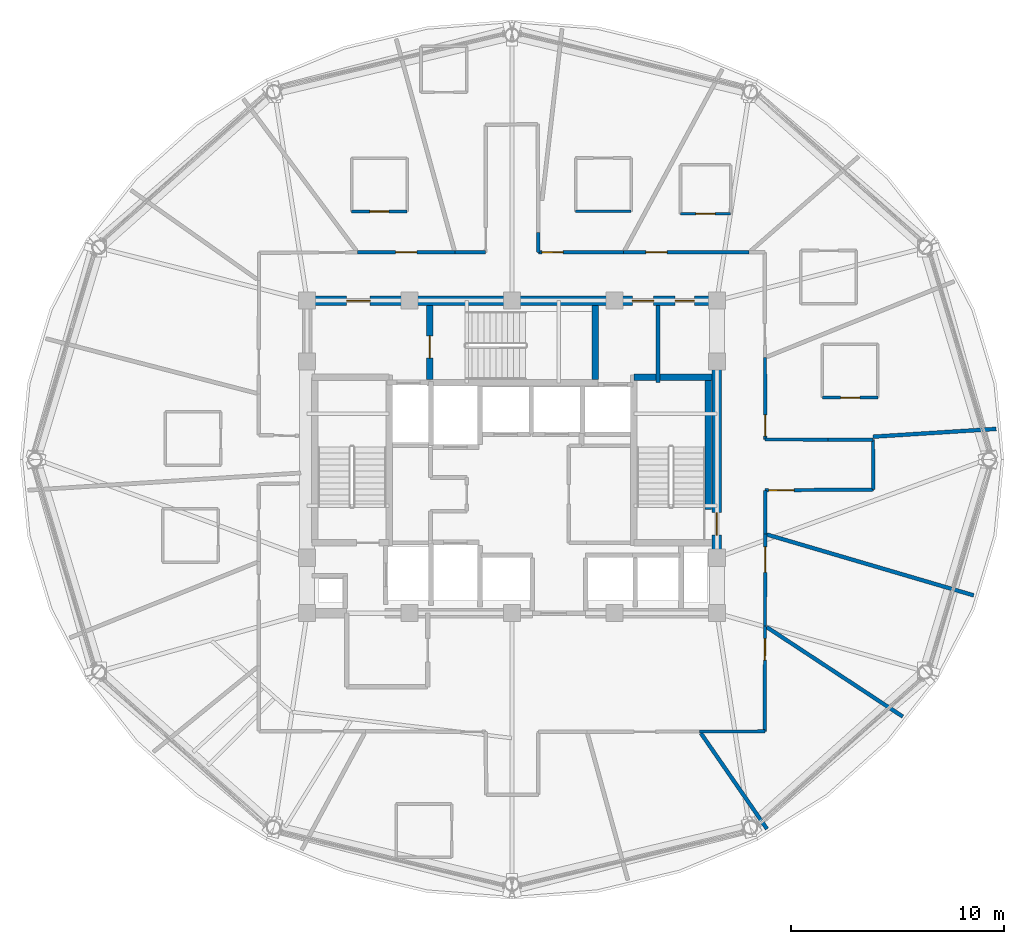
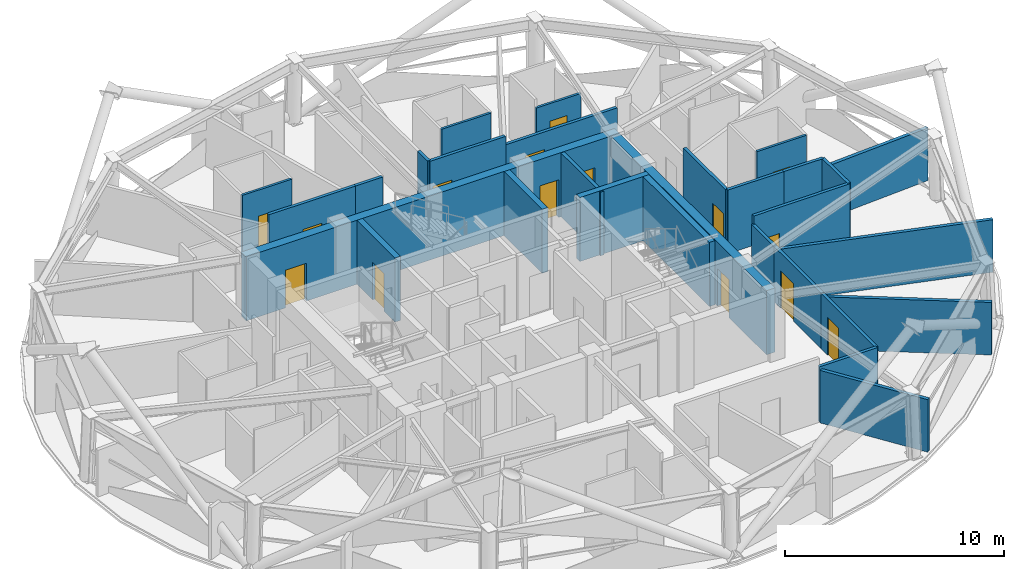
# One storey, part 9 of 14: 29 walls, 15 doors, 15 openings.
"""IFC4 building model written with IfcOpenShell, lengths in metres."""

from ifc_helpers import new_model, si_unit, direction, frame, frame_2d, origin, place, context, subcontext, project, spatial, rectangle, extrude, material, layer, layer_set, type_object, element, fill, save


model = new_model("IFC4")

# Units and contexts
model_context = context("Model", 3, precision=1e-05, world=origin(), true_north=direction((0.0, 1.0)))
body_context = subcontext(model_context, "Body", "Model", "MODEL_VIEW")
ifc_project = project(units=[si_unit("LENGTHUNIT", "METRE"), si_unit("AREAUNIT", "SQUARE_METRE"), si_unit("VOLUMEUNIT", "CUBIC_METRE"), si_unit("PLANEANGLEUNIT", "RADIAN"), si_unit("MASSUNIT", "GRAM", prefix="KILO")], contexts=[model_context])

# Site, building, storey
site_placement = place(None, origin())
site = spatial("IfcSite", under=ifc_project, at=site_placement, CompositionType="ELEMENT")
building_placement = place(site_placement, origin())
building = spatial("IfcBuilding", under=site, at=building_placement, Name="Vantalir Tower", CompositionType="ELEMENT")
storey_placement = place(building_placement, frame((0.0, 0.0, 204.89990234375)))
storey = spatial("IfcBuildingStorey", under=building, at=storey_placement, Name="L51", CompositionType="ELEMENT", Elevation=204.89990234375)

# Wall, opening, door
ifc_material_1 = material(Name="Moisture-resistant en-suite partition", Category="gypsum")
ifc_layer_1 = layer(ifc_material_1, 0.125)
ifc_layer_set_1 = layer_set([ifc_layer_1], Name="Moisture-resistant en-suite partition")
wall_type_1 = type_object("IfcWallType", Name="WL-BATH-125", PredefinedType="PARTITIONING", material=ifc_layer_set_1)
wall_1_placement = place(storey_placement, frame((46.047119140625, 27.906005859375, 0.0), z_axis=(0.0, 0.0, 1.0), x_axis=(1.0, 0.0, 0.0)))
wall_1 = element("IfcWall", 1, at=wall_1_placement, inside=storey, type_object=wall_type_1, Name="L51 En-suite 01 South Wall", PredefinedType="PARTITIONING", context=body_context, shape_type="SweptSolid", body=[
    extrude(rectangle(XDim=2.599853515625, YDim=0.125, at=frame_2d((1.2998046875, 0.0))), origin(), (0.0, 0.0, 1.0), 3.550048828125),
])
opening_1_placement = place(wall_1_placement, frame((0.85009765625, 0.0, 0.0)))
opening_1 = element("IfcOpeningElement", 2, at=opening_1_placement, cuts=wall_1, Name="Opening D-WC", PredefinedType="OPENING", context=body_context, shape_type="SweptSolid", body=[
    extrude(rectangle(XDim=0.89990234375, YDim=2.10009765625, at=frame_2d((0.449951171875, 1.050048828125))), frame((0.0, 0.072509765625, 0.0), z_axis=(0.0, -1.0, 0.0), x_axis=(1.0, 0.0, 0.0)), (0.0, 0.0, 1.0), 0.14501953125),
])
ifc_material_2 = material(Name="Moisture-resistant hardwood door", Category="wood")
door_type_1 = type_object("IfcDoorType", Name="DR-ENSUITE-900", OperationType="NOTDEFINED", PredefinedType="DOOR", material=ifc_material_2)
door_1_placement = place(opening_1_placement, origin())
door_1 = element("IfcDoor", 3, at=door_1_placement, inside=storey, type_object=door_type_1, Name="L51 En-suite 01 Door", OperationType="SINGLE_SWING_LEFT", OverallHeight=2.10009765625, OverallWidth=0.89990234375, PredefinedType="DOOR", context=body_context, shape_type="SweptSolid", body=[
    extrude(rectangle(XDim=0.89990234375, YDim=2.10009765625, at=frame_2d((0.449951171875, 1.050048828125))), frame((0.0, 0.02490234375, 0.0), z_axis=(0.0, -1.0, 0.0), x_axis=(1.0, 0.0, 0.0)), (0.0, 0.0, 1.0), 0.050048828125),
])
fill(opening_1, door_1)

wall_2_placement = place(storey_placement, frame((39.39404296875, 36.51611328125, 0.0), z_axis=(0.0, 0.0, 1.0), x_axis=(1.0, 0.0, 0.0)))
wall_2 = element("IfcWall", 4, at=wall_2_placement, inside=storey, type_object=wall_type_1, Name="L51 En-suite 03 South Wall", PredefinedType="PARTITIONING", context=body_context, shape_type="SweptSolid", body=[
    extrude(rectangle(XDim=2.349853515625, YDim=0.125, at=frame_2d((1.1748046875, 0.0))), origin(), (0.0, 0.0, 1.0), 3.0810546875),
])
opening_2_placement = place(wall_2_placement, frame((0.72509765625, 0.0, 0.0)))
opening_2 = element("IfcOpeningElement", 5, at=opening_2_placement, cuts=wall_2, Name="Opening D-WC", PredefinedType="OPENING", context=body_context, shape_type="SweptSolid", body=[
    extrude(rectangle(XDim=0.89990234375, YDim=2.10009765625, at=frame_2d((0.449951171875, 1.050048828125))), frame((0.0, 0.072509765625, 0.0), z_axis=(0.0, -1.0, 0.0), x_axis=(1.0, 0.0, 0.0)), (0.0, 0.0, 1.0), 0.14501953125),
])
door_2_placement = place(opening_2_placement, origin())
door_2 = element("IfcDoor", 6, at=door_2_placement, inside=storey, type_object=door_type_1, Name="L51 En-suite 03 Door", OperationType="SINGLE_SWING_LEFT", OverallHeight=2.10009765625, OverallWidth=0.89990234375, PredefinedType="DOOR", context=body_context, shape_type="SweptSolid", body=[
    extrude(rectangle(XDim=0.89990234375, YDim=2.10009765625, at=frame_2d((0.449951171875, 1.050048828125))), frame((0.0, 0.02490234375, 0.0), z_axis=(0.0, -1.0, 0.0), x_axis=(1.0, 0.0, 0.0)), (0.0, 0.0, 1.0), 0.050048828125),
])
fill(opening_2, door_2)

# Wall
wall_3_placement = place(storey_placement, frame((34.48095703125, 36.634033203125, 0.0), z_axis=(0.0, 0.0, 1.0), x_axis=(1.0, 0.0, 0.0)))
element("IfcWall", 7, at=wall_3_placement, inside=storey, type_object=wall_type_1, Name="L51 En-suite 04 South Wall", PredefinedType="PARTITIONING", context=body_context, shape_type="SweptSolid", body=[
    extrude(rectangle(XDim=2.60009765625, YDim=0.125, at=frame_2d((1.300048828125, 0.0))), origin(), (0.0, 0.0, 1.0), 3.550048828125),
])

# Wall, opening, door
wall_4_placement = place(storey_placement, frame((23.98388671875, 36.6259765625, 0.0), z_axis=(0.0, 0.0, 1.0), x_axis=(1.0, 0.0, 0.0)))
wall_4 = element("IfcWall", 8, at=wall_4_placement, inside=storey, type_object=wall_type_1, Name="L51 En-suite 06 South Wall", PredefinedType="PARTITIONING", context=body_context, shape_type="SweptSolid", body=[
    extrude(rectangle(XDim=2.60009765625, YDim=0.125, at=frame_2d((1.300048828125, 0.0))), origin(), (0.0, 0.0, 1.0), 3.550048828125),
])
opening_3_placement = place(wall_4_placement, frame((0.85009765625, 0.0, 0.0)))
opening_3 = element("IfcOpeningElement", 9, at=opening_3_placement, cuts=wall_4, Name="Opening D-WC", PredefinedType="OPENING", context=body_context, shape_type="SweptSolid", body=[
    extrude(rectangle(XDim=0.89990234375, YDim=2.10009765625, at=frame_2d((0.449951171875, 1.050048828125))), frame((0.0, 0.072509765625, 0.0), z_axis=(0.0, -1.0, 0.0), x_axis=(1.0, 0.0, 0.0)), (0.0, 0.0, 1.0), 0.14501953125),
])
door_3_placement = place(opening_3_placement, origin())
door_3 = element("IfcDoor", 10, at=door_3_placement, inside=storey, type_object=door_type_1, Name="L51 En-suite 06 Door", OperationType="SINGLE_SWING_RIGHT", OverallHeight=2.10009765625, OverallWidth=0.89990234375, PredefinedType="DOOR", context=body_context, shape_type="SweptSolid", body=[
    extrude(rectangle(XDim=0.89990234375, YDim=2.10009765625, at=frame_2d((0.449951171875, 1.050048828125))), frame((0.0, 0.02490234375, 0.0), z_axis=(0.0, -1.0, 0.0), x_axis=(1.0, 0.0, 0.0)), (0.0, 0.0, 1.0), 0.050048828125),
])
fill(opening_3, door_3)

# Wall, openings, doors
ifc_material_3 = material(Name="Concrete C50/60", Category="concrete")
ifc_layer_2 = layer(ifc_material_3, 0.449951171875)
ifc_layer_set_2 = layer_set([ifc_layer_2], Name="Concrete C50/60")
wall_type_2 = type_object("IfcWallType", Name="WL-CORE-450", PredefinedType="SHEAR", material=ifc_layer_set_2)
wall_5_placement = place(storey_placement, frame((21.675048828125, 32.449951171875, 0.0), z_axis=(0.0, 0.0, 1.0), x_axis=(1.0, 0.0, 0.0)))
wall_5 = element("IfcWall", 11, at=wall_5_placement, inside=storey, type_object=wall_type_2, Name="L51 Core Shear Wall North", PredefinedType="SHEAR", context=body_context, shape_type="SweptSolid", body=[
    extrude(rectangle(XDim=19.64990234375, YDim=0.449951171875, at=frame_2d((9.824951171875, 0.0))), origin(), (0.0, 0.0, 1.0), 3.570068359375),
])
opening_4_placement = place(wall_5_placement, frame((2.074951171875, 0.0, 0.0)))
opening_4 = element("IfcOpeningElement", 12, at=opening_4_placement, cuts=wall_5, Name="Opening D-FFL", PredefinedType="OPENING", context=body_context, shape_type="SweptSolid", body=[
    extrude(rectangle(XDim=1.10009765625, YDim=2.10009765625, at=frame_2d((0.550048828125, 1.050048828125))), frame((0.0, 0.23486328125, 0.0), z_axis=(0.0, -1.0, 0.0), x_axis=(1.0, 0.0, 0.0)), (0.0, 0.0, 1.0), 0.469970703125),
])
opening_5_placement = place(wall_5_placement, frame((15.465087890625, 0.0, 0.0)))
opening_5 = element("IfcOpeningElement", 13, at=opening_5_placement, cuts=wall_5, Name="Opening D-GUEST", PredefinedType="OPENING", context=body_context, shape_type="SweptSolid", body=[
    extrude(rectangle(XDim=1.0, YDim=2.10009765625, at=frame_2d((0.5, 1.050048828125))), frame((0.0, 0.23486328125, 0.0), z_axis=(0.0, -1.0, 0.0), x_axis=(1.0, 0.0, 0.0)), (0.0, 0.0, 1.0), 0.469970703125),
])
opening_6_placement = place(wall_5_placement, frame((17.47509765625, 0.0, 0.0)))
opening_6 = element("IfcOpeningElement", 14, at=opening_6_placement, cuts=wall_5, Name="Opening D-CR", PredefinedType="OPENING", context=body_context, shape_type="SweptSolid", body=[
    extrude(rectangle(XDim=0.89990234375, YDim=2.10009765625, at=frame_2d((0.449951171875, 1.050048828125))), frame((0.0, 0.23486328125, 0.0), z_axis=(0.0, -1.0, 0.0), x_axis=(1.0, 0.0, 0.0)), (0.0, 0.0, 1.0), 0.469970703125),
])
ifc_material_4 = material(Name="Fire-rated steel core service door", Category="steel")
door_type_2 = type_object("IfcDoorType", Name="DR-CORE-SERV-900", OperationType="NOTDEFINED", PredefinedType="DOOR", material=ifc_material_4)
door_4_placement = place(opening_6_placement, frame((0.89990234375, 0.0, 0.0), z_axis=(0.0, 0.0, 1.0), x_axis=(-1.0, 0.0, 0.0)))
door_4 = element("IfcDoor", 15, at=door_4_placement, inside=storey, type_object=door_type_2, Name="L51 Housekeeping and Linen Room Door", OperationType="SINGLE_SWING_RIGHT", OverallHeight=2.10009765625, OverallWidth=0.89990234375, PredefinedType="DOOR", context=body_context, shape_type="SweptSolid", body=[
    extrude(rectangle(XDim=0.89990234375, YDim=2.10009765625, at=frame_2d((0.449951171875, 1.050048828125))), frame((0.0, 0.02490234375, 0.0), z_axis=(0.0, -1.0, 0.0), x_axis=(1.0, 0.0, 0.0)), (0.0, 0.0, 1.0), 0.050048828125),
])
fill(opening_6, door_4)
ifc_material_5 = material(Name="Fire-rated acoustic steel door", Category="steel")
door_type_3 = type_object("IfcDoorType", Name="DR-FIRE-LOBBY-1100", OperationType="NOTDEFINED", PredefinedType="DOOR", material=ifc_material_5)
door_5_placement = place(opening_4_placement, frame((1.10009765625, 0.0, 0.0), z_axis=(0.0, 0.0, 1.0), x_axis=(-1.0, 0.0, 0.0)))
door_5 = element("IfcDoor", 16, at=door_5_placement, inside=storey, type_object=door_type_3, Name="L51 Firefighting Lobby East Access Door", OperationType="SINGLE_SWING_LEFT", OverallHeight=2.10009765625, OverallWidth=1.10009765625, PredefinedType="DOOR", context=body_context, shape_type="SweptSolid", body=[
    extrude(rectangle(XDim=1.10009765625, YDim=2.10009765625, at=frame_2d((0.550048828125, 1.050048828125))), frame((0.0, 0.02490234375, 0.0), z_axis=(0.0, -1.0, 0.0), x_axis=(1.0, 0.0, 0.0)), (0.0, 0.0, 1.0), 0.050048828125),
])
fill(opening_4, door_5)
ifc_material_6 = material(Name="Solid-core teak veneer acoustic fire door", Category="wood")
door_type_4 = type_object("IfcDoorType", Name="DR-GUEST-ENTRY-1000", OperationType="NOTDEFINED", PredefinedType="DOOR", material=ifc_material_6)
door_6_placement = place(opening_5_placement, frame((1.0, 0.0, 0.0), z_axis=(0.0, 0.0, 1.0), x_axis=(-1.0, 0.0, 0.0)))
door_6 = element("IfcDoor", 17, at=door_6_placement, inside=storey, type_object=door_type_4, Name="L51 High-Rise Lift Lobby Door", OperationType="SINGLE_SWING_LEFT", OverallHeight=2.10009765625, OverallWidth=1.0, PredefinedType="DOOR", context=body_context, shape_type="SweptSolid", body=[
    extrude(rectangle(XDim=1.0, YDim=2.10009765625, at=frame_2d((0.5, 1.050048828125))), frame((0.0, 0.02490234375, 0.0), z_axis=(0.0, -1.0, 0.0), x_axis=(1.0, 0.0, 0.0)), (0.0, 0.0, 1.0), 0.050048828125),
])
fill(opening_5, door_6)

# Wall, opening, door
wall_6_placement = place(storey_placement, frame((41.10009765625, 18.02490234375, 0.0), z_axis=(0.0, 0.0, 1.0), x_axis=(0.0, 1.0, 0.0)))
wall_6 = element("IfcWall", 18, at=wall_6_placement, inside=storey, type_object=wall_type_2, Name="L51 Core Shear Wall East", PredefinedType="SHEAR", context=body_context, shape_type="SweptSolid", body=[
    extrude(rectangle(XDim=14.2001953125, YDim=0.449951171875, at=frame_2d((7.10009765625, 0.0))), origin(), (0.0, 0.0, 1.0), 3.570068359375),
])
opening_7_placement = place(wall_6_placement, frame((3.43505859375, 0.0, 0.0)))
opening_7 = element("IfcOpeningElement", 19, at=opening_7_placement, cuts=wall_6, Name="Opening D-ST", PredefinedType="OPENING", context=body_context, shape_type="SweptSolid", body=[
    extrude(rectangle(XDim=1.050048828125, YDim=2.10009765625, at=frame_2d((0.52490234375, 1.050048828125))), frame((0.0, 0.23486328125, 0.0), z_axis=(0.0, -1.0, 0.0), x_axis=(1.0, 0.0, 0.0)), (0.0, 0.0, 1.0), 0.469970703125),
])
ifc_material_7 = material(Name="Fire-rated steel door leaf", Category="steel")
door_type_5 = type_object("IfcDoorType", Name="DR-FIRE-STAIR-1050", OperationType="NOTDEFINED", PredefinedType="DOOR", material=ifc_material_7)
door_7_placement = place(opening_7_placement, origin())
door_7 = element("IfcDoor", 20, at=door_7_placement, inside=storey, type_object=door_type_5, Name="L51 Exit Stair ST2 Fire Door", OperationType="SINGLE_SWING_LEFT", OverallHeight=2.10009765625, OverallWidth=1.050048828125, PredefinedType="DOOR", context=body_context, shape_type="SweptSolid", body=[
    extrude(rectangle(XDim=1.050048828125, YDim=2.10009765625, at=frame_2d((0.52490234375, 1.050048828125))), frame((0.0, 0.02490234375, 0.0), z_axis=(0.0, -1.0, 0.0), x_axis=(1.0, 0.0, 0.0)), (0.0, 0.0, 1.0), 0.050048828125),
])
fill(opening_7, door_7)

ifc_material_8 = material(Name="Fire-rated hotel corridor acoustic partition", Category="gypsum")
ifc_layer_3 = layer(ifc_material_8, 0.159912109375)
ifc_layer_set_3 = layer_set([ifc_layer_3], Name="Fire-rated hotel corridor acoustic partition")
wall_type_3 = type_object("IfcWallType", Name="WL-CORR-160", PredefinedType="PARTITIONING", material=ifc_layer_set_3)
wall_7_placement = place(storey_placement, frame((24.26806640625, 34.70703125, 0.0), z_axis=(0.0, 0.0, 1.0), x_axis=(0.999999173323, 0.001285828029, 0.0)))
wall_7 = element("IfcWall", 21, at=wall_7_placement, inside=storey, type_object=wall_type_3, Name="L51 Corridor Partition 06", PredefinedType="PARTITIONING", context=body_context, shape_type="SweptSolid", body=[
    extrude(rectangle(XDim=4.556884765625, YDim=0.159912109375, at=frame_2d((2.2783203125, 0.0))), origin(), (0.0, 0.0, 1.0), 3.550048828125),
])
opening_8_placement = place(wall_7_placement, frame((1.779052734375, 0.0, 0.0)))
opening_8 = element("IfcOpeningElement", 22, at=opening_8_placement, cuts=wall_7, Name="Opening D-GUEST", PredefinedType="OPENING", context=body_context, shape_type="SweptSolid", body=[
    extrude(rectangle(XDim=1.0, YDim=2.10009765625, at=frame_2d((0.5, 1.050048828125))), frame((0.0, 0.08984375, 0.0), z_axis=(0.0, -1.0, 0.0), x_axis=(1.0, 0.0, 0.0)), (0.0, 0.0, 1.0), 0.179931640625),
])
door_8_placement = place(opening_8_placement, origin())
door_8 = element("IfcDoor", 23, at=door_8_placement, inside=storey, type_object=door_type_4, Name="L51 Deluxe King Hotel Room 06 Door", OperationType="SINGLE_SWING_RIGHT", OverallHeight=2.10009765625, OverallWidth=1.0, PredefinedType="DOOR", context=body_context, shape_type="SweptSolid", body=[
    extrude(rectangle(XDim=1.0, YDim=2.10009765625, at=frame_2d((0.5, 1.050048828125))), frame((0.0, 0.02490234375, 0.0), z_axis=(0.0, -1.0, 0.0), x_axis=(1.0, 0.0, 0.0)), (0.0, 0.0, 1.0), 0.050048828125),
])
fill(opening_8, door_8)

# Walls
wall_8_placement = place(storey_placement, frame((28.824951171875, 34.712890625, 0.0), z_axis=(0.0, 0.0, 1.0), x_axis=(0.999998827818, 0.001531131244, 0.0)))
element("IfcWall", 24, at=wall_8_placement, inside=storey, type_object=wall_type_3, Name="L51 Corridor Partition 07", PredefinedType="PARTITIONING", context=body_context, shape_type="SweptSolid", body=[
    extrude(rectangle(XDim=1.43505859375, YDim=0.159912109375, at=frame_2d((0.717529296875, 0.0))), origin(), (0.0, 0.0, 1.0), 3.550048828125),
])
wall_9_placement = place(storey_placement, frame((32.73388671875, 35.631103515625, 0.0), z_axis=(0.0, 0.0, 1.0), x_axis=(0.0066629651, -0.999977802202, 0.0)))
element("IfcWall", 25, at=wall_9_placement, inside=storey, type_object=wall_type_3, Name="L51 Corridor Partition 11", PredefinedType="PARTITIONING", context=body_context, shape_type="SweptSolid", body=[
    extrude(rectangle(XDim=0.916015625, YDim=0.159912109375, at=frame_2d((0.4580078125, 0.0))), origin(), (0.0, 0.0, 1.0), 3.550048828125),
])

# Wall, opening, door
wall_10_placement = place(storey_placement, frame((32.739990234375, 34.715087890625, 0.0), z_axis=(0.0, 0.0, 1.0), x_axis=(0.999999684096, -0.000794863705, 0.0)))
wall_10 = element("IfcWall", 26, at=wall_10_placement, inside=storey, type_object=wall_type_3, Name="L51 Corridor Partition 12", PredefinedType="PARTITIONING", context=body_context, shape_type="SweptSolid", body=[
    extrude(rectangle(XDim=3.992919921875, YDim=0.159912109375, at=frame_2d((1.99658203125, 0.0))), origin(), (0.0, 0.0, 1.0), 3.550048828125),
])
opening_9_placement = place(wall_10_placement, frame((0.159912109375, 0.0, 0.0)))
opening_9 = element("IfcOpeningElement", 27, at=opening_9_placement, cuts=wall_10, Name="Opening D-GUEST", PredefinedType="OPENING", context=body_context, shape_type="SweptSolid", body=[
    extrude(rectangle(XDim=1.0, YDim=2.10009765625, at=frame_2d((0.5, 1.050048828125))), frame((0.0, 0.08984375, 0.0), z_axis=(0.0, -1.0, 0.0), x_axis=(1.0, 0.0, 0.0)), (0.0, 0.0, 1.0), 0.179931640625),
])
door_9_placement = place(opening_9_placement, origin())
door_9 = element("IfcDoor", 28, at=door_9_placement, inside=storey, type_object=door_type_4, Name="L51 Twin Queen Hotel Room 04 Door", OperationType="SINGLE_SWING_RIGHT", OverallHeight=2.10009765625, OverallWidth=1.0, PredefinedType="DOOR", context=body_context, shape_type="SweptSolid", body=[
    extrude(rectangle(XDim=1.0, YDim=2.10009765625, at=frame_2d((0.5, 1.050048828125))), frame((0.0, 0.02490234375, 0.0), z_axis=(0.0, -1.0, 0.0), x_axis=(1.0, 0.0, 0.0)), (0.0, 0.0, 1.0), 0.050048828125),
])
fill(opening_9, door_9)

wall_11_placement = place(storey_placement, frame((36.73291015625, 34.7119140625, 0.0), z_axis=(0.0, 0.0, 1.0), x_axis=(0.999999875581, -0.000498835987, 0.0)))
wall_11 = element("IfcWall", 29, at=wall_11_placement, inside=storey, type_object=wall_type_3, Name="L51 Corridor Partition 13", PredefinedType="PARTITIONING", context=body_context, shape_type="SweptSolid", body=[
    extrude(rectangle(XDim=5.873046875, YDim=0.159912109375, at=frame_2d((2.9365234375, 0.0))), origin(), (0.0, 0.0, 1.0), 3.0810546875),
])
opening_10_placement = place(wall_11_placement, frame((1.041015625, 0.0, 0.0)))
opening_10 = element("IfcOpeningElement", 30, at=opening_10_placement, cuts=wall_11, Name="Opening D-GUEST", PredefinedType="OPENING", context=body_context, shape_type="SweptSolid", body=[
    extrude(rectangle(XDim=1.0, YDim=2.10009765625, at=frame_2d((0.5, 1.050048828125))), frame((0.0, 0.08984375, 0.0), z_axis=(0.0, -1.0, 0.0), x_axis=(1.0, 0.0, 0.0)), (0.0, 0.0, 1.0), 0.179931640625),
])
door_10_placement = place(opening_10_placement, origin())
door_10 = element("IfcDoor", 31, at=door_10_placement, inside=storey, type_object=door_type_4, Name="L51 Deluxe King Hotel Room 03 Door", OperationType="SINGLE_SWING_LEFT", OverallHeight=2.10009765625, OverallWidth=1.0, PredefinedType="DOOR", context=body_context, shape_type="SweptSolid", body=[
    extrude(rectangle(XDim=1.0, YDim=2.10009765625, at=frame_2d((0.5, 1.050048828125))), frame((0.0, 0.02490234375, 0.0), z_axis=(0.0, -1.0, 0.0), x_axis=(1.0, 0.0, 0.0)), (0.0, 0.0, 1.0), 0.050048828125),
])
fill(opening_10, door_10)

wall_12_placement = place(storey_placement, frame((43.35693359375, 29.779052734375, 0.0), z_axis=(0.0, 0.0, 1.0), x_axis=(0.002098564536, -0.999997798011, 0.0)))
wall_12 = element("IfcWall", 32, at=wall_12_placement, inside=storey, type_object=wall_type_3, Name="L51 Corridor Partition 16", PredefinedType="PARTITIONING", context=body_context, shape_type="SweptSolid", body=[
    extrude(rectangle(XDim=3.839111328125, YDim=0.159912109375, at=frame_2d((1.91943359375, 0.0))), origin(), (0.0, 0.0, 1.0), 3.550048828125),
])
opening_11_placement = place(wall_12_placement, frame((2.678955078125, 0.0, 0.0)))
opening_11 = element("IfcOpeningElement", 33, at=opening_11_placement, cuts=wall_12, Name="Opening D-GUEST", PredefinedType="OPENING", context=body_context, shape_type="SweptSolid", body=[
    extrude(rectangle(XDim=1.0, YDim=2.10009765625, at=frame_2d((0.5, 1.050048828125))), frame((0.0, 0.08984375, 0.0), z_axis=(0.0, -1.0, 0.0), x_axis=(1.0, 0.0, 0.0)), (0.0, 0.0, 1.0), 0.179931640625),
])
door_11_placement = place(opening_11_placement, origin())
door_11 = element("IfcDoor", 34, at=door_11_placement, inside=storey, type_object=door_type_4, Name="L51 Twin Queen Hotel Room 01 Door", OperationType="SINGLE_SWING_LEFT", OverallHeight=2.10009765625, OverallWidth=1.0, PredefinedType="DOOR", context=body_context, shape_type="SweptSolid", body=[
    extrude(rectangle(XDim=1.0, YDim=2.10009765625, at=frame_2d((0.5, 1.050048828125))), frame((0.0, 0.02490234375, 0.0), z_axis=(0.0, -1.0, 0.0), x_axis=(1.0, 0.0, 0.0)), (0.0, 0.0, 1.0), 0.050048828125),
])
fill(opening_11, door_11)

# Walls
wall_13_placement = place(storey_placement, frame((43.364990234375, 25.93994140625, 0.0), z_axis=(0.0, 0.0, 1.0), x_axis=(0.99999978111, -0.000661649016, 0.0)))
element("IfcWall", 35, at=wall_13_placement, inside=storey, type_object=wall_type_3, Name="L51 Corridor Partition 17", PredefinedType="PARTITIONING", context=body_context, shape_type="SweptSolid", body=[
    extrude(rectangle(XDim=2.951904296875, YDim=0.159912109375, at=frame_2d((1.47607421875, 0.0))), origin(), (0.0, 0.0, 1.0), 3.550048828125),
])
wall_14_placement = place(storey_placement, frame((46.31689453125, 25.93798828125, 0.0), z_axis=(0.0, 0.0, 1.0), x_axis=(0.999999891682, -0.000465440955, 0.0)))
element("IfcWall", 36, at=wall_14_placement, inside=storey, type_object=wall_type_3, Name="L51 Corridor Partition 18", PredefinedType="PARTITIONING", context=body_context, shape_type="SweptSolid", body=[
    extrude(rectangle(XDim=2.09814453125, YDim=0.159912109375, at=frame_2d((1.049072265625, 0.0))), origin(), (0.0, 0.0, 1.0), 3.550048828125),
])
wall_15_placement = place(storey_placement, frame((48.4150390625, 25.93701171875, 0.0), z_axis=(0.0, 0.0, 1.0), x_axis=(0.010636586698, -0.999943429912, 0.0)))
element("IfcWall", 37, at=wall_15_placement, inside=storey, type_object=wall_type_3, Name="L51 Corridor Partition 19", PredefinedType="PARTITIONING", context=body_context, shape_type="SweptSolid", body=[
    extrude(rectangle(XDim=2.34130859375, YDim=0.159912109375, at=frame_2d((1.170654296875, 0.0))), origin(), (0.0, 0.0, 1.0), 3.550048828125),
])

# Wall, opening, door
wall_16_placement = place(storey_placement, frame((48.43994140625, 23.595947265625, 0.0), z_axis=(0.0, 0.0, 1.0), x_axis=(-0.999974996273, -0.007071550702, 0.0)))
wall_16 = element("IfcWall", 38, at=wall_16_placement, inside=storey, type_object=wall_type_3, Name="L51 Corridor Partition 20", PredefinedType="PARTITIONING", context=body_context, shape_type="SweptSolid", body=[
    extrude(rectangle(XDim=5.0751953125, YDim=0.159912109375, at=frame_2d((2.53759765625, 0.0))), origin(), (0.0, 0.0, 1.0), 3.550048828125),
])
opening_12_placement = place(wall_16_placement, frame((3.715087890625, 0.0, 0.0)))
opening_12 = element("IfcOpeningElement", 39, at=opening_12_placement, cuts=wall_16, Name="Opening D-STE", PredefinedType="OPENING", context=body_context, shape_type="SweptSolid", body=[
    extrude(rectangle(XDim=1.199951171875, YDim=2.10009765625, at=frame_2d((0.60009765625, 1.050048828125))), frame((0.0, 0.08984375, 0.0), z_axis=(0.0, -1.0, 0.0), x_axis=(1.0, 0.0, 0.0)), (0.0, 0.0, 1.0), 0.179931640625),
])
ifc_material_9 = material(Name="Solid-core teak veneer suite entrance door", Category="wood")
door_type_6 = type_object("IfcDoorType", Name="DR-SUITE-ENTRY-1200", OperationType="NOTDEFINED", PredefinedType="DOOR", material=ifc_material_9)
door_12_placement = place(opening_12_placement, origin())
door_12 = element("IfcDoor", 40, at=door_12_placement, inside=storey, type_object=door_type_6, Name="L51 Club Reading Lounge 17 Door", OperationType="SINGLE_SWING_LEFT", OverallHeight=2.10009765625, OverallWidth=1.199951171875, PredefinedType="DOOR", context=body_context, shape_type="SweptSolid", body=[
    extrude(rectangle(XDim=1.199951171875, YDim=2.10009765625, at=frame_2d((0.60009765625, 1.050048828125))), frame((0.0, 0.02490234375, 0.0), z_axis=(0.0, -1.0, 0.0), x_axis=(1.0, 0.0, 0.0)), (0.0, 0.0, 1.0), 0.050048828125),
])
fill(opening_12, door_12)

# Wall
wall_17_placement = place(storey_placement, frame((43.364990234375, 23.56005859375, 0.0), z_axis=(0.0, 0.0, 1.0), x_axis=(-0.001429761436, -0.999998977891, 0.0)))
element("IfcWall", 41, at=wall_17_placement, inside=storey, type_object=wall_type_3, Name="L51 Corridor Partition 21", PredefinedType="PARTITIONING", context=body_context, shape_type="SweptSolid", body=[
    extrude(rectangle(XDim=2.049072265625, YDim=0.159912109375, at=frame_2d((1.0244140625, 0.0))), origin(), (0.0, 0.0, 1.0), 3.0810546875),
])

# Wall, opening, door
wall_18_placement = place(storey_placement, frame((43.362060546875, 21.510986328125, 0.0), z_axis=(0.0, 0.0, 1.0), x_axis=(-0.001189800858, -0.999999292187, 0.0)))
wall_18 = element("IfcWall", 42, at=wall_18_placement, inside=storey, type_object=wall_type_3, Name="L51 Corridor Partition 22", PredefinedType="PARTITIONING", context=body_context, shape_type="SweptSolid", body=[
    extrude(rectangle(XDim=4.30908203125, YDim=0.159912109375, at=frame_2d((2.154541015625, 0.0))), origin(), (0.0, 0.0, 1.0), 3.0810546875),
])
opening_13_placement = place(wall_18_placement, frame((0.60009765625, 0.0, 0.0)))
opening_13 = element("IfcOpeningElement", 43, at=opening_13_placement, cuts=wall_18, Name="Opening D-STE", PredefinedType="OPENING", context=body_context, shape_type="SweptSolid", body=[
    extrude(rectangle(XDim=1.199951171875, YDim=2.10009765625, at=frame_2d((0.60009765625, 1.050048828125))), frame((0.0, 0.08984375, 0.0), z_axis=(0.0, -1.0, 0.0), x_axis=(1.0, 0.0, 0.0)), (0.0, 0.0, 1.0), 0.179931640625),
])
door_13_placement = place(opening_13_placement, origin())
door_13 = element("IfcDoor", 44, at=door_13_placement, inside=storey, type_object=door_type_6, Name="L51 Club Reading Lounge 16 Door", OperationType="SINGLE_SWING_RIGHT", OverallHeight=2.10009765625, OverallWidth=1.199951171875, PredefinedType="DOOR", context=body_context, shape_type="SweptSolid", body=[
    extrude(rectangle(XDim=1.199951171875, YDim=2.10009765625, at=frame_2d((0.60009765625, 1.050048828125))), frame((0.0, 0.02490234375, 0.0), z_axis=(0.0, -1.0, 0.0), x_axis=(1.0, 0.0, 0.0)), (0.0, 0.0, 1.0), 0.050048828125),
])
fill(opening_13, door_13)

wall_19_placement = place(storey_placement, frame((43.35693359375, 17.201904296875, 0.0), z_axis=(0.0, 0.0, 1.0), x_axis=(-0.00138298791, -0.999999043672, 0.0)))
wall_19 = element("IfcWall", 45, at=wall_19_placement, inside=storey, type_object=wall_type_3, Name="L51 Corridor Partition 23", PredefinedType="PARTITIONING", context=body_context, shape_type="SweptSolid", body=[
    extrude(rectangle(XDim=4.94287109375, YDim=0.159912109375, at=frame_2d((2.471435546875, 0.0))), origin(), (0.0, 0.0, 1.0), 3.0810546875),
])
opening_14_placement = place(wall_19_placement, frame((0.594970703125, 0.0, 0.0)))
opening_14 = element("IfcOpeningElement", 46, at=opening_14_placement, cuts=wall_19, Name="Opening D-GUEST", PredefinedType="OPENING", context=body_context, shape_type="SweptSolid", body=[
    extrude(rectangle(XDim=1.0, YDim=2.10009765625, at=frame_2d((0.5, 1.050048828125))), frame((0.0, 0.08984375, 0.0), z_axis=(0.0, -1.0, 0.0), x_axis=(1.0, 0.0, 0.0)), (0.0, 0.0, 1.0), 0.179931640625),
])
door_14_placement = place(opening_14_placement, origin())
door_14 = element("IfcDoor", 47, at=door_14_placement, inside=storey, type_object=door_type_4, Name="L51 Executive Sky Boardroom 15 Door", OperationType="SINGLE_SWING_LEFT", OverallHeight=2.10009765625, OverallWidth=1.0, PredefinedType="DOOR", context=body_context, shape_type="SweptSolid", body=[
    extrude(rectangle(XDim=1.0, YDim=2.10009765625, at=frame_2d((0.5, 1.050048828125))), frame((0.0, 0.02490234375, 0.0), z_axis=(0.0, -1.0, 0.0), x_axis=(1.0, 0.0, 0.0)), (0.0, 0.0, 1.0), 0.050048828125),
])
fill(opening_14, door_14)

# Walls
wall_20_placement = place(storey_placement, frame((43.35009765625, 12.259033203125, 0.0), z_axis=(0.0, 0.0, 1.0), x_axis=(-0.999999539569, -0.000959615712, 0.0)))
element("IfcWall", 48, at=wall_20_placement, inside=storey, type_object=wall_type_3, Name="L51 Corridor Partition 24", PredefinedType="PARTITIONING", context=body_context, shape_type="SweptSolid", body=[
    extrude(rectangle(XDim=3.052978515625, YDim=0.159912109375, at=frame_2d((1.5263671875, 0.0))), origin(), (0.0, 0.0, 1.0), 3.0810546875),
])
ifc_material_10 = material(Name="Twin-stud acoustic fire-rated gypsum partition", Category="gypsum")
ifc_layer_4 = layer(ifc_material_10, 0.179931640625)
ifc_layer_set_4 = layer_set([ifc_layer_4], Name="Twin-stud acoustic fire-rated gypsum partition")
wall_type_4 = type_object("IfcWallType", Name="WL-GUEST-180", PredefinedType="PARTITIONING", material=ifc_layer_set_4)
wall_21_placement = place(storey_placement, frame((38.340087890625, 28.6201171875, 0.0), z_axis=(0.0, 0.0, 1.0), x_axis=(0.0, 1.0, 0.0)))
element("IfcWall", 49, at=wall_21_placement, inside=storey, type_object=wall_type_4, Name="L51 High-Rise Lift Lobby East Wall", PredefinedType="PARTITIONING", context=body_context, shape_type="SweptSolid", body=[
    extrude(rectangle(XDim=3.60498046875, YDim=0.179931640625, at=frame_2d((1.802490234375, 0.0))), origin(), (0.0, 0.0, 1.0), 3.550048828125),
])
wall_22_placement = place(storey_placement, frame((48.4150390625, 26.071044921875, 0.0), z_axis=(0.0, 0.0, 1.0), x_axis=(0.997998701079, 0.06323442611, 0.0)))
element("IfcWall", 50, at=wall_22_placement, inside=storey, type_object=wall_type_4, Name="L51 Radial Suite Partition 01", PredefinedType="PARTITIONING", context=body_context, shape_type="SweptSolid", body=[
    extrude(rectangle(XDim=5.787353515625, YDim=0.179931640625, at=frame_2d((2.8935546875, 0.0))), origin(), (0.0, 0.0, 1.0), 2.925048828125),
])
wall_23_placement = place(storey_placement, frame((40.35302734375, 12.175048828125, 0.0), z_axis=(0.0, 0.0, 1.0), x_axis=(0.568031149529, -0.823007055356, 0.0)))
element("IfcWall", 51, at=wall_23_placement, inside=storey, type_object=wall_type_4, Name="L51 Radial Suite Partition 15", PredefinedType="PARTITIONING", context=body_context, shape_type="SweptSolid", body=[
    extrude(rectangle(XDim=5.4521484375, YDim=0.179931640625, at=frame_2d((2.72607421875, 0.0))), origin(), (0.0, 0.0, 1.0), 2.925048828125),
])
wall_24_placement = place(storey_placement, frame((43.43994140625, 17.14697265625, 0.0), z_axis=(0.0, 0.0, 1.0), x_axis=(0.835489758862, -0.549506017107, 0.0)))
element("IfcWall", 52, at=wall_24_placement, inside=storey, type_object=wall_type_4, Name="L51 Radial Suite Partition 16", PredefinedType="PARTITIONING", context=body_context, shape_type="SweptSolid", body=[
    extrude(rectangle(XDim=7.63037109375, YDim=0.179931640625, at=frame_2d((3.815185546875, 0.0))), origin(), (0.0, 0.0, 1.0), 2.925048828125),
])
wall_25_placement = place(storey_placement, frame((43.43994140625, 21.488037109375, 0.0), z_axis=(0.0, 0.0, 1.0), x_axis=(0.959358192885, -0.282191172335, 0.0)))
element("IfcWall", 53, at=wall_25_placement, inside=storey, type_object=wall_type_4, Name="L51 Radial Suite Partition 17", PredefinedType="PARTITIONING", context=body_context, shape_type="SweptSolid", body=[
    extrude(rectangle(XDim=10.106689453125, YDim=0.179931640625, at=frame_2d((5.05322265625, 0.0))), origin(), (0.0, 0.0, 1.0), 2.925048828125),
])
ifc_layer_5 = layer(ifc_material_3, 0.300048828125)
ifc_layer_set_5 = layer_set([ifc_layer_5], Name="Concrete C50/60")
wall_type_5 = type_object("IfcWallType", Name="WL-STAIR-300", PredefinedType="SHEAR", material=ifc_layer_set_5)
wall_26_placement = place(storey_placement, frame((37.2099609375, 28.85009765625, 0.0), z_axis=(0.0, 0.0, 1.0), x_axis=(1.0, 0.0, 0.0)))
element("IfcWall", 54, at=wall_26_placement, inside=storey, type_object=wall_type_5, Name="L51 Stair ST2 North Wall", PredefinedType="SHEAR", context=body_context, shape_type="SweptSolid", body=[
    extrude(rectangle(XDim=3.6650390625, YDim=0.300048828125, at=frame_2d((1.83251953125, 0.0))), origin(), (0.0, 0.0, 1.0), 3.570068359375),
])
wall_27_placement = place(storey_placement, frame((40.68994140625, 22.64990234375, 0.0), z_axis=(0.0, 0.0, 1.0), x_axis=(0.0, 1.0, 0.0)))
element("IfcWall", 55, at=wall_27_placement, inside=storey, type_object=wall_type_5, Name="L51 Stair ST2 East Liner Wall", PredefinedType="SHEAR", context=body_context, shape_type="SweptSolid", body=[
    extrude(rectangle(XDim=6.2001953125, YDim=0.300048828125, at=frame_2d((3.10009765625, 0.0))), origin(), (0.0, 0.0, 1.0), 3.570068359375),
])

# Wall, opening, door
wall_28_placement = place(storey_placement, frame((27.64990234375, 28.75, 0.0), z_axis=(0.0, 0.0, 1.0), x_axis=(0.0, 1.0, 0.0)))
wall_28 = element("IfcWall", 56, at=wall_28_placement, inside=storey, type_object=wall_type_5, Name="L51 Stair ST3 West Wall", PredefinedType="SHEAR", context=body_context, shape_type="SweptSolid", body=[
    extrude(rectangle(XDim=3.47509765625, YDim=0.300048828125, at=frame_2d((1.737548828125, 0.0))), origin(), (0.0, 0.0, 1.0), 3.570068359375),
])
opening_15_placement = place(wall_28_placement, frame((1.0, 0.0, 0.0)))
opening_15 = element("IfcOpeningElement", 57, at=opening_15_placement, cuts=wall_28, Name="Opening D-ST", PredefinedType="OPENING", context=body_context, shape_type="SweptSolid", body=[
    extrude(rectangle(XDim=1.050048828125, YDim=2.10009765625, at=frame_2d((0.52490234375, 1.050048828125))), frame((0.0, 0.159912109375, 0.0), z_axis=(0.0, -1.0, 0.0), x_axis=(1.0, 0.0, 0.0)), (0.0, 0.0, 1.0), 0.320068359375),
])
door_15_placement = place(opening_15_placement, frame((1.050048828125, 0.0, 0.0), z_axis=(0.0, 0.0, 1.0), x_axis=(-1.0, 0.0, 0.0)))
door_15 = element("IfcDoor", 58, at=door_15_placement, inside=storey, type_object=door_type_5, Name="L51 Exit Stair ST3 Fire Door", OperationType="SINGLE_SWING_RIGHT", OverallHeight=2.10009765625, OverallWidth=1.050048828125, PredefinedType="DOOR", context=body_context, shape_type="SweptSolid", body=[
    extrude(rectangle(XDim=1.050048828125, YDim=2.10009765625, at=frame_2d((0.52490234375, 1.050048828125))), frame((0.0, 0.02490234375, 0.0), z_axis=(0.0, -1.0, 0.0), x_axis=(1.0, 0.0, 0.0)), (0.0, 0.0, 1.0), 0.050048828125),
])
fill(opening_15, door_15)

# Wall
wall_29_placement = place(storey_placement, frame((35.39990234375, 28.75, 0.0), z_axis=(0.0, 0.0, 1.0), x_axis=(0.0, 1.0, 0.0)))
element("IfcWall", 59, at=wall_29_placement, inside=storey, type_object=wall_type_5, Name="L51 Stair ST3 East Wall", PredefinedType="SHEAR", context=body_context, shape_type="SweptSolid", body=[
    extrude(rectangle(XDim=3.47509765625, YDim=0.300048828125, at=frame_2d((1.737548828125, 0.0))), origin(), (0.0, 0.0, 1.0), 3.570068359375),
])

save(model, "model.ifc")
